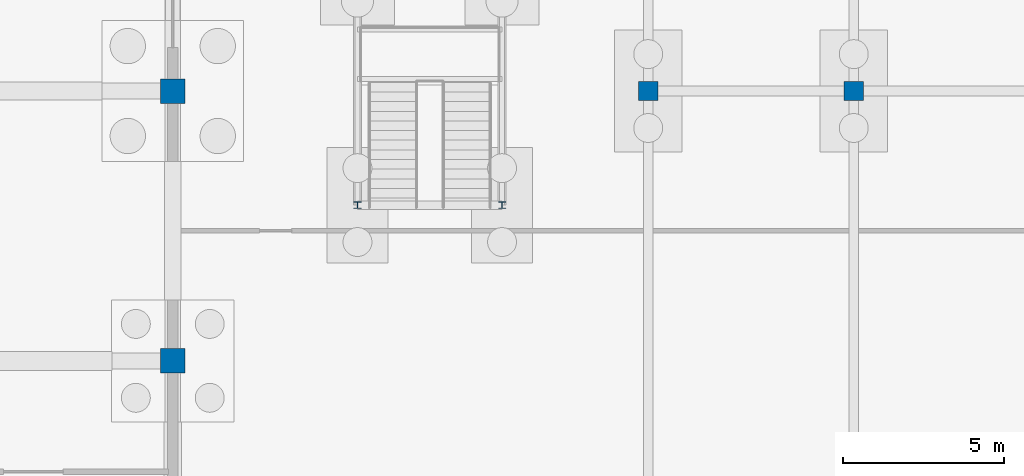
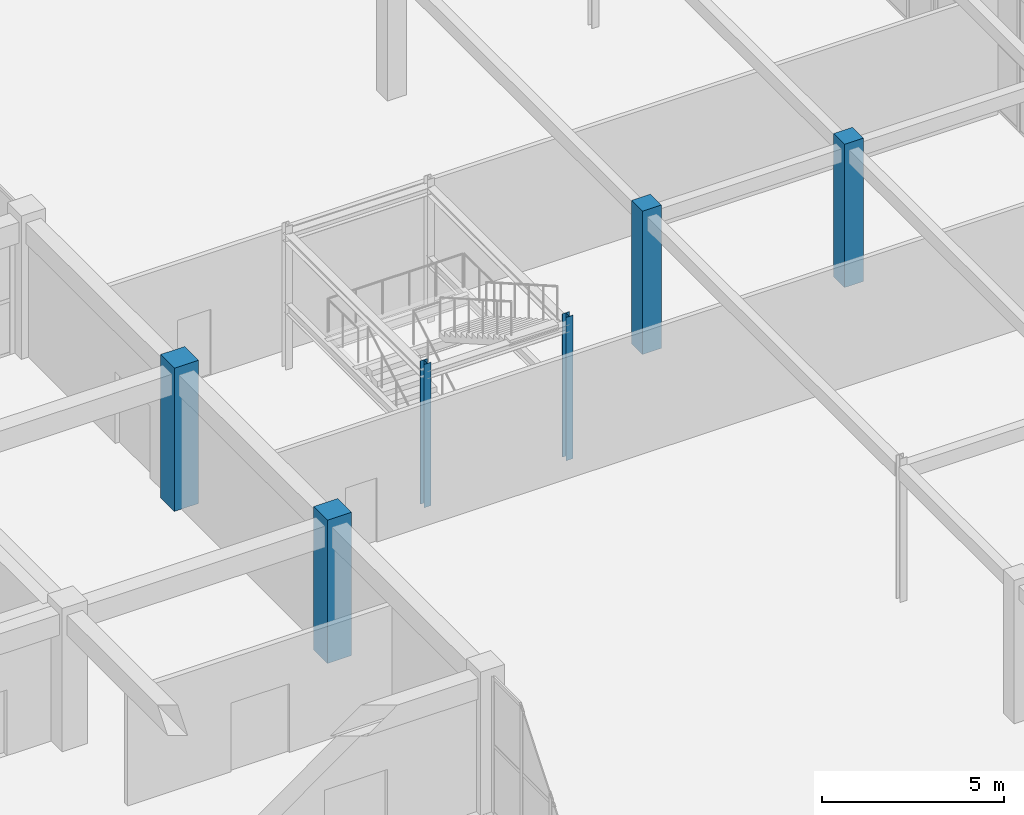
# One storey, part 28 of 192: 6 columns.
"""IFC4 building model written with IfcOpenShell, lengths in metres."""

from ifc_helpers import new_model, si_unit, direction, frame, origin, origin_2d, place, context, subcontext, project, spatial, rectangle, i_section, extrude, material, material_profile, profile_set, type_object, element, save


model = new_model("IFC4")

# Units and contexts
model_context = context("Model", 3, precision=1e-05, world=origin(), true_north=direction((0.0, 1.0)))
body_context = subcontext(model_context, "Body", "Model", "MODEL_VIEW")
ifc_project = project(units=[si_unit("LENGTHUNIT", "METRE"), si_unit("AREAUNIT", "SQUARE_METRE"), si_unit("VOLUMEUNIT", "CUBIC_METRE"), si_unit("PLANEANGLEUNIT", "RADIAN"), si_unit("MASSUNIT", "GRAM", prefix="KILO")], contexts=[model_context])

# Site, building, storey
site_placement = place(None, origin())
site = spatial("IfcSite", under=ifc_project, at=site_placement, CompositionType="ELEMENT")
building_placement = place(site_placement, origin())
building = spatial("IfcBuilding", under=site, at=building_placement, Name="Trelvath General Hospital", CompositionType="ELEMENT")
storey_placement = place(building_placement, origin())
storey = spatial("IfcBuildingStorey", under=building, at=storey_placement, Name="L00", CompositionType="ELEMENT", Elevation=0.0)

# Columns
ifc_material_1 = material(Name="Concrete C40/50", Category="concrete")
ifc_material_profile_1 = material_profile(ifc_material_1, rectangle(XDim=0.60009765625, YDim=0.60009765625, at=origin_2d()), Name="RC600x600")
ifc_profile_set_1 = profile_set([ifc_material_profile_1], Name="Concrete C40/50")
column_type_1 = type_object("IfcColumnType", Name="Column RC600", PredefinedType="COLUMN", material=ifc_profile_set_1)
for number, where, z_axis, x_axis, name in (
    (1, (107.199951171875, 58.800048828125, 0.0), (0.0, 0.0, 1.0), (1.0, 0.0, 0.0), "Cube Interior Column CC-E04 L00"),
    (2, (113.60009765625, 58.800048828125, 0.0), (0.0, 0.0, 1.0), (1.0, 0.0, 0.0), "Cube Interior Column CC-E11 L00"),
):
    element("IfcColumn", number, at=place(storey_placement, frame(where, z_axis=z_axis, x_axis=x_axis)), inside=storey, type_object=column_type_1, Name=name, PredefinedType="COLUMN", context=body_context, shape_type="SweptSolid", body=[
        extrude(rectangle(XDim=0.60009765625, YDim=0.60009765625, at=origin_2d()), origin(), (0.0, 0.0, 1.0), 4.800048828125),
    ])
ifc_material_2 = material(Name="Concrete C40/50", Category="concrete")
ifc_material_profile_2 = material_profile(ifc_material_2, rectangle(XDim=0.760009765625, YDim=0.760009765625, at=origin_2d()), Name="RC760x760")
ifc_profile_set_2 = profile_set([ifc_material_profile_2], Name="Concrete C40/50")
column_type_2 = type_object("IfcColumnType", Name="Column RC760", PredefinedType="COLUMN", material=ifc_profile_set_2)
for number, where, z_axis, x_axis, name in (
    (3, (92.39990234375, 50.39990234375, 0.0), (0.0, 0.0, 1.0), (1.0, 0.0, 0.0), "Column C-12G L00"),
    (4, (92.39990234375, 58.800048828125, 0.0), (0.0, 0.0, 1.0), (1.0, 0.0, 0.0), "Column C-12H L00"),
):
    element("IfcColumn", number, at=place(storey_placement, frame(where, z_axis=z_axis, x_axis=x_axis)), inside=storey, type_object=column_type_2, Name=name, PredefinedType="COLUMN", context=body_context, shape_type="SweptSolid", body=[
        extrude(rectangle(XDim=0.760009765625, YDim=0.760009765625, at=origin_2d()), origin(), (0.0, 0.0, 1.0), 4.800048828125),
    ])
ifc_material_3 = material(Name="Steel S355", Category="steel")
ifc_material_profile_3 = material_profile(ifc_material_3, i_section(OverallWidth=0.219970703125, OverallDepth=0.2099609375, WebThickness=0.007080078125, FlangeThickness=0.010986328125, at=origin_2d()), Name="HEA220")
ifc_profile_set_3 = profile_set([ifc_material_profile_3], Name="Steel S355")
column_type_3 = type_object("IfcColumnType", Name="StairPost HEA220", PredefinedType="COLUMN", material=ifc_profile_set_3)
for number, where, z_axis, x_axis, name in (
    (5, (98.14990234375, 55.25, 0.0), (0.0, 0.0, 1.0), (1.0, 0.0, 0.0), "Atrium Stair Post CUBE-E 1 L00"),
    (6, (102.64990234375, 55.25, 0.0), (0.0, 0.0, 1.0), (1.0, 0.0, 0.0), "Atrium Stair Post CUBE-E 2 L00"),
):
    element("IfcColumn", number, at=place(storey_placement, frame(where, z_axis=z_axis, x_axis=x_axis)), inside=storey, type_object=column_type_3, Name=name, PredefinedType="COLUMN", context=body_context, shape_type="SweptSolid", body=[
        extrude(i_section(OverallWidth=0.219970703125, OverallDepth=0.2099609375, WebThickness=0.007080078125, FlangeThickness=0.010986328125, at=origin_2d()), origin(), (0.0, 0.0, 1.0), 4.800048828125),
    ])

save(model, "model.ifc")
